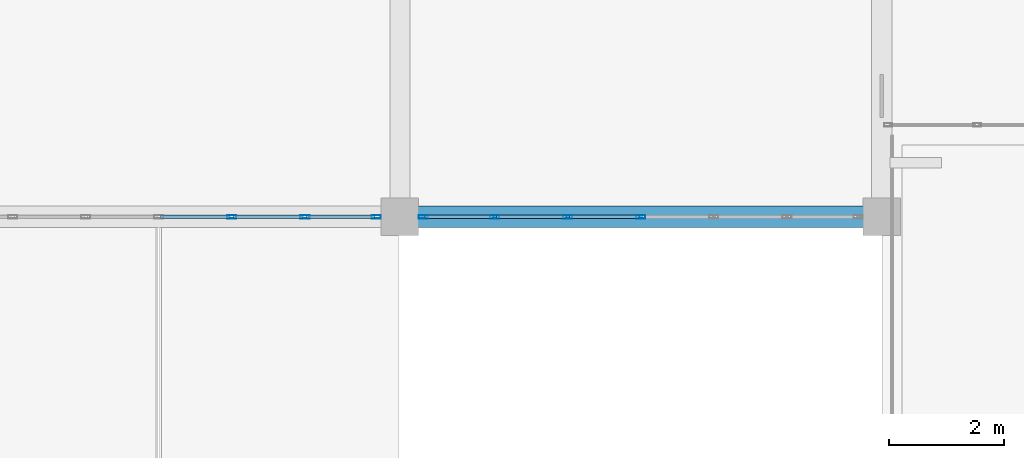
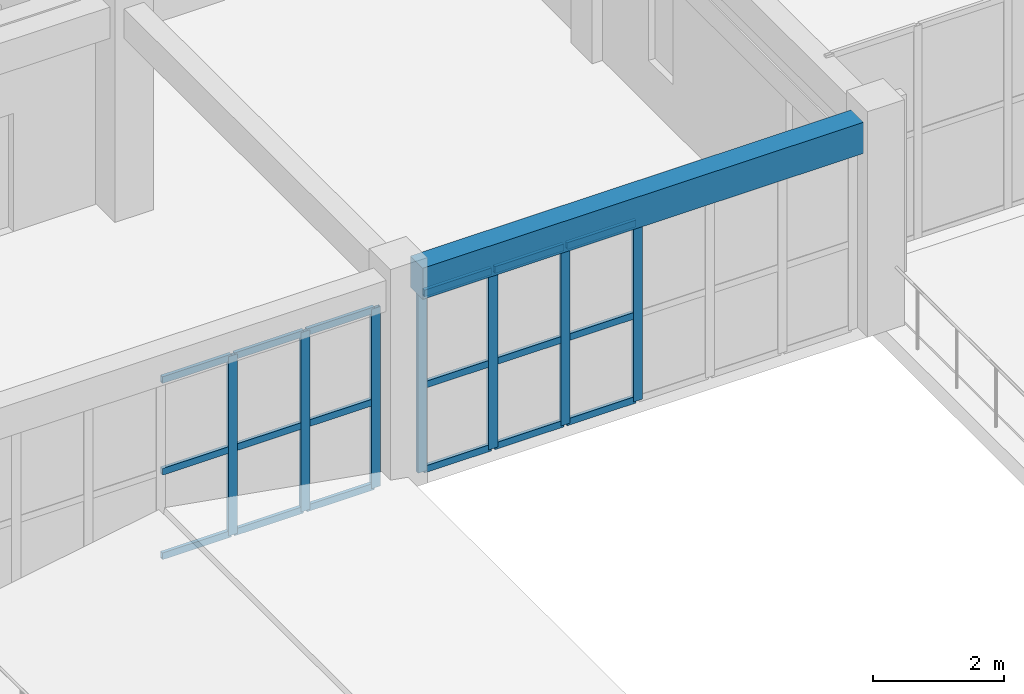
# One storey, part 25 of 90: 25 members, 1 beam, 2 elements without a shape of their own.
"""IFC4 building model written with IfcOpenShell, lengths in metres."""

from ifc_helpers import new_model, si_unit, direction, frame, origin, origin_2d, place, context, subcontext, project, spatial, rectangle, hollow_rectangle, extrude, material, layer, layer_set, material_profile, profile_set, type_object, element, aggregate, save


model = new_model("IFC4")

# Units and contexts
model_context = context("Model", 3, precision=1e-05, world=origin(), true_north=direction((0.0, 1.0)))
body_context = subcontext(model_context, "Body", "Model", "MODEL_VIEW")
ifc_project = project(units=[si_unit("LENGTHUNIT", "METRE"), si_unit("AREAUNIT", "SQUARE_METRE"), si_unit("VOLUMEUNIT", "CUBIC_METRE"), si_unit("PLANEANGLEUNIT", "RADIAN"), si_unit("MASSUNIT", "GRAM", prefix="KILO")], contexts=[model_context])

# Site, building, storey
site_placement = place(None, origin())
site = spatial("IfcSite", under=ifc_project, at=site_placement, CompositionType="ELEMENT")
building_placement = place(site_placement, origin())
building = spatial("IfcBuilding", under=site, at=building_placement, Name="Trelvath General Hospital", CompositionType="ELEMENT")
storey_placement = place(building_placement, frame((0.0, 0.0, 20.39990234375)))
storey = spatial("IfcBuildingStorey", under=building, at=storey_placement, Name="L05", CompositionType="ELEMENT", Elevation=20.39990234375)

# Beam
ifc_material_1 = material(Name="Concrete C35/45", Category="concrete")
ifc_material_profile_1 = material_profile(ifc_material_1, rectangle(XDim=0.3798828125, YDim=0.580078125, at=origin_2d()), Name="RCB380x580")
ifc_profile_set_1 = profile_set([ifc_material_profile_1], Name="Concrete C35/45")
beam_type = type_object("IfcBeamType", Name="Beam RC380x580", PredefinedType="BEAM", material=ifc_profile_set_1)
beam_placement = place(storey_placement, frame((84.320068359375, 42.0, 3.630126953125), z_axis=(1.0, 0.0, 0.0), x_axis=(0.0, 1.0, 0.0)))
element("IfcBeam", 1, at=beam_placement, inside=storey, type_object=beam_type, Name="Grid Beam BX-510F", PredefinedType="BEAM", context=body_context, shape_type="SweptSolid", body=[
    extrude(rectangle(XDim=0.3798828125, YDim=0.580078125, at=origin_2d()), origin(), (0.0, 0.0, 1.0), 7.760009765625),
])

# Curtain wall, members
ifc_material_2 = material(Name="Anodised aluminium and low-E glass", Category="aluminium")
ifc_layer = layer(ifc_material_2, 0.14990234375)
ifc_layer_set = layer_set([ifc_layer], Name="Anodised aluminium and low-E glass")
curtain_wall_type = type_object("IfcCurtainWallType", Name="CW Facade 764 334 15", PredefinedType="USERDEFINED", material=ifc_layer_set)
curtain_wall_1_placement = place(storey_placement, origin())
curtain_wall_1 = element("IfcCurtainWall", 2, at=curtain_wall_1_placement, inside=storey, type_object=curtain_wall_type, Name="Facade Curtain Wall CW-070", ObjectType="Unitised Glazed Curtain Wall", PredefinedType="USERDEFINED")
ifc_material_3 = material(Name="Anodised aluminium", Category="aluminium")
ifc_material_profile_2 = material_profile(ifc_material_3, hollow_rectangle(XDim=0.06005859375, YDim=0.159912109375, WallThickness=0.00390625, at=origin_2d()), Name="RHS60x160x4")
ifc_profile_set_2 = profile_set([ifc_material_profile_2], Name="Anodised aluminium")
member_type_1 = type_object("IfcMemberType", Name="CurtainMullion 60x160", PredefinedType="MULLION", material=ifc_profile_set_2)
member_1_placement = place(storey_placement, frame((83.590087890625, 42.0, 0.0), z_axis=(0.0, 0.0, 1.0), x_axis=(0.0, -1.0, 0.0)))
member_1 = element("IfcMember", 3, at=member_1_placement, type_object=member_type_1, Name="CW-070 mullion 1", PredefinedType="MULLION", context=body_context, shape_type="SweptSolid", body=[
    extrude(hollow_rectangle(XDim=0.06005859375, YDim=0.159912109375, WallThickness=0.00390625, at=origin_2d()), origin(), (0.0, 0.0, 1.0), 3.340087890625),
])
member_2_placement = place(storey_placement, frame((82.3466796875, 42.0, 0.0), z_axis=(0.0, 0.0, 1.0), x_axis=(0.0, -1.0, 0.0)))
member_2 = element("IfcMember", 4, at=member_2_placement, type_object=member_type_1, Name="CW-070 mullion 2", PredefinedType="MULLION", context=body_context, shape_type="SweptSolid", body=[
    extrude(hollow_rectangle(XDim=0.06005859375, YDim=0.159912109375, WallThickness=0.00390625, at=origin_2d()), origin(), (0.0, 0.0, 1.0), 3.340087890625),
])
member_3_placement = place(storey_placement, frame((81.0732421875, 42.0, 0.0), z_axis=(0.0, 0.0, 1.0), x_axis=(0.0, -1.0, 0.0)))
member_3 = element("IfcMember", 5, at=member_3_placement, type_object=member_type_1, Name="CW-070 mullion 3", PredefinedType="MULLION", context=body_context, shape_type="SweptSolid", body=[
    extrude(hollow_rectangle(XDim=0.06005859375, YDim=0.159912109375, WallThickness=0.00390625, at=origin_2d()), origin(), (0.0, 0.0, 1.0), 3.340087890625),
])

curtain_wall_2_placement = place(storey_placement, origin())
curtain_wall_2 = element("IfcCurtainWall", 6, at=curtain_wall_2_placement, inside=storey, type_object=curtain_wall_type, Name="Facade Curtain Wall CW-072", ObjectType="Unitised Glazed Curtain Wall", PredefinedType="USERDEFINED")
member_4_placement = place(storey_placement, frame((88.199951171875, 42.0, 0.0), z_axis=(0.0, 0.0, 1.0), x_axis=(0.0, -1.0, 0.0)))
member_4 = element("IfcMember", 7, at=member_4_placement, type_object=member_type_1, Name="CW-072 mullion 4", PredefinedType="MULLION", context=body_context, shape_type="SweptSolid", body=[
    extrude(hollow_rectangle(XDim=0.06005859375, YDim=0.159912109375, WallThickness=0.00390625, at=origin_2d()), origin(), (0.0, 0.0, 1.0), 3.340087890625),
])
member_5_placement = place(storey_placement, frame((86.9267578125, 42.0, 0.0), z_axis=(0.0, 0.0, 1.0), x_axis=(0.0, -1.0, 0.0)))
member_5 = element("IfcMember", 8, at=member_5_placement, type_object=member_type_1, Name="CW-072 mullion 5", PredefinedType="MULLION", context=body_context, shape_type="SweptSolid", body=[
    extrude(hollow_rectangle(XDim=0.06005859375, YDim=0.159912109375, WallThickness=0.00390625, at=origin_2d()), origin(), (0.0, 0.0, 1.0), 3.340087890625),
])
member_6_placement = place(storey_placement, frame((85.6533203125, 42.0, 0.0), z_axis=(0.0, 0.0, 1.0), x_axis=(0.0, -1.0, 0.0)))
member_6 = element("IfcMember", 9, at=member_6_placement, type_object=member_type_1, Name="CW-072 mullion 6", PredefinedType="MULLION", context=body_context, shape_type="SweptSolid", body=[
    extrude(hollow_rectangle(XDim=0.06005859375, YDim=0.159912109375, WallThickness=0.00390625, at=origin_2d()), origin(), (0.0, 0.0, 1.0), 3.340087890625),
])
member_7_placement = place(storey_placement, frame((84.409912109375, 42.0, 0.0), z_axis=(0.0, 0.0, 1.0), x_axis=(0.0, -1.0, 0.0)))
member_7 = element("IfcMember", 10, at=member_7_placement, type_object=member_type_1, Name="CW-072 mullion 7", PredefinedType="MULLION", context=body_context, shape_type="SweptSolid", body=[
    extrude(hollow_rectangle(XDim=0.06005859375, YDim=0.159912109375, WallThickness=0.00390625, at=origin_2d()), origin(), (0.0, 0.0, 1.0), 3.340087890625),
])

# Member
ifc_material_4 = material(Name="Anodised aluminium", Category="aluminium")
ifc_material_profile_3 = material_profile(ifc_material_4, hollow_rectangle(XDim=0.06005859375, YDim=0.125, WallThickness=0.00390625, at=origin_2d()), Name="RHS60x125x4")
ifc_profile_set_3 = profile_set([ifc_material_profile_3], Name="Anodised aluminium")
member_type_2 = type_object("IfcMemberType", Name="CurtainTransom 60x125", PredefinedType="USERDEFINED", material=ifc_profile_set_3)
member_8_placement = place(storey_placement, frame((83.56005859375, 42.0, 0.030029296875), z_axis=(-1.0, 0.0, 0.0), x_axis=(0.0, -1.0, 0.0)))
member_8 = element("IfcMember", 11, at=member_8_placement, type_object=member_type_2, Name="CW-070 transom 1.1", ObjectType="TRANSOM", PredefinedType="USERDEFINED", context=body_context, shape_type="SweptSolid", body=[
    extrude(hollow_rectangle(XDim=0.06005859375, YDim=0.125, WallThickness=0.00390625, at=origin_2d()), origin(), (0.0, 0.0, 1.0), 1.183349609375),
])

member_9_placement = place(storey_placement, frame((83.56005859375, 42.0, 1.60302734375), z_axis=(-1.0, 0.0, 0.0), x_axis=(0.0, -1.0, 0.0)))
member_9 = element("IfcMember", 12, at=member_9_placement, type_object=member_type_2, Name="CW-070 transom 1.2", ObjectType="TRANSOM", PredefinedType="USERDEFINED", context=body_context, shape_type="SweptSolid", body=[
    extrude(hollow_rectangle(XDim=0.06005859375, YDim=0.125, WallThickness=0.00390625, at=origin_2d()), origin(), (0.0, 0.0, 1.0), 1.183349609375),
])

member_10_placement = place(storey_placement, frame((83.56005859375, 42.0, 3.31005859375), z_axis=(-1.0, 0.0, 0.0), x_axis=(0.0, -1.0, 0.0)))
member_10 = element("IfcMember", 13, at=member_10_placement, type_object=member_type_2, Name="CW-070 transom 1.3", ObjectType="TRANSOM", PredefinedType="USERDEFINED", context=body_context, shape_type="SweptSolid", body=[
    extrude(hollow_rectangle(XDim=0.06005859375, YDim=0.125, WallThickness=0.00390625, at=origin_2d()), origin(), (0.0, 0.0, 1.0), 1.183349609375),
])

member_11_placement = place(storey_placement, frame((82.316650390625, 42.0, 0.030029296875), z_axis=(-1.0, 0.0, 0.0), x_axis=(0.0, -1.0, 0.0)))
member_11 = element("IfcMember", 14, at=member_11_placement, type_object=member_type_2, Name="CW-070 transom 2.1", ObjectType="TRANSOM", PredefinedType="USERDEFINED", context=body_context, shape_type="SweptSolid", body=[
    extrude(hollow_rectangle(XDim=0.06005859375, YDim=0.125, WallThickness=0.00390625, at=origin_2d()), origin(), (0.0, 0.0, 1.0), 1.21337890625),
])

member_12_placement = place(storey_placement, frame((82.316650390625, 42.0, 1.60302734375), z_axis=(-1.0, 0.0, 0.0), x_axis=(0.0, -1.0, 0.0)))
member_12 = element("IfcMember", 15, at=member_12_placement, type_object=member_type_2, Name="CW-070 transom 2.2", ObjectType="TRANSOM", PredefinedType="USERDEFINED", context=body_context, shape_type="SweptSolid", body=[
    extrude(hollow_rectangle(XDim=0.06005859375, YDim=0.125, WallThickness=0.00390625, at=origin_2d()), origin(), (0.0, 0.0, 1.0), 1.21337890625),
])

member_13_placement = place(storey_placement, frame((82.316650390625, 42.0, 3.31005859375), z_axis=(-1.0, 0.0, 0.0), x_axis=(0.0, -1.0, 0.0)))
member_13 = element("IfcMember", 16, at=member_13_placement, type_object=member_type_2, Name="CW-070 transom 2.3", ObjectType="TRANSOM", PredefinedType="USERDEFINED", context=body_context, shape_type="SweptSolid", body=[
    extrude(hollow_rectangle(XDim=0.06005859375, YDim=0.125, WallThickness=0.00390625, at=origin_2d()), origin(), (0.0, 0.0, 1.0), 1.21337890625),
])

member_14_placement = place(storey_placement, frame((81.043212890625, 42.0, 0.030029296875), z_axis=(-1.0, 0.0, 0.0), x_axis=(0.0, -1.0, 0.0)))
member_14 = element("IfcMember", 17, at=member_14_placement, type_object=member_type_2, Name="CW-070 transom 3.1", ObjectType="TRANSOM", PredefinedType="USERDEFINED", context=body_context, shape_type="SweptSolid", body=[
    extrude(hollow_rectangle(XDim=0.06005859375, YDim=0.125, WallThickness=0.00390625, at=origin_2d()), origin(), (0.0, 0.0, 1.0), 1.213134765625),
])

member_15_placement = place(storey_placement, frame((81.043212890625, 42.0, 1.60302734375), z_axis=(-1.0, 0.0, 0.0), x_axis=(0.0, -1.0, 0.0)))
member_15 = element("IfcMember", 18, at=member_15_placement, type_object=member_type_2, Name="CW-070 transom 3.2", ObjectType="TRANSOM", PredefinedType="USERDEFINED", context=body_context, shape_type="SweptSolid", body=[
    extrude(hollow_rectangle(XDim=0.06005859375, YDim=0.125, WallThickness=0.00390625, at=origin_2d()), origin(), (0.0, 0.0, 1.0), 1.213134765625),
])

member_16_placement = place(storey_placement, frame((81.043212890625, 42.0, 3.31005859375), z_axis=(-1.0, 0.0, 0.0), x_axis=(0.0, -1.0, 0.0)))
member_16 = element("IfcMember", 19, at=member_16_placement, type_object=member_type_2, Name="CW-070 transom 3.3", ObjectType="TRANSOM", PredefinedType="USERDEFINED", context=body_context, shape_type="SweptSolid", body=[
    extrude(hollow_rectangle(XDim=0.06005859375, YDim=0.125, WallThickness=0.00390625, at=origin_2d()), origin(), (0.0, 0.0, 1.0), 1.213134765625),
])

aggregate(curtain_wall_1, [member_1, member_2, member_3, member_8, member_9, member_10, member_11, member_12, member_13, member_14, member_15, member_16])

member_17_placement = place(storey_placement, frame((88.169921875, 42.0, 0.030029296875), z_axis=(-1.0, 0.0, 0.0), x_axis=(0.0, -1.0, 0.0)))
member_17 = element("IfcMember", 20, at=member_17_placement, type_object=member_type_2, Name="CW-072 transom 4.1", ObjectType="TRANSOM", PredefinedType="USERDEFINED", context=body_context, shape_type="SweptSolid", body=[
    extrude(hollow_rectangle(XDim=0.06005859375, YDim=0.125, WallThickness=0.00390625, at=origin_2d()), origin(), (0.0, 0.0, 1.0), 1.213134765625),
])

member_18_placement = place(storey_placement, frame((88.169921875, 42.0, 1.60302734375), z_axis=(-1.0, 0.0, 0.0), x_axis=(0.0, -1.0, 0.0)))
member_18 = element("IfcMember", 21, at=member_18_placement, type_object=member_type_2, Name="CW-072 transom 4.2", ObjectType="TRANSOM", PredefinedType="USERDEFINED", context=body_context, shape_type="SweptSolid", body=[
    extrude(hollow_rectangle(XDim=0.06005859375, YDim=0.125, WallThickness=0.00390625, at=origin_2d()), origin(), (0.0, 0.0, 1.0), 1.213134765625),
])

member_19_placement = place(storey_placement, frame((88.169921875, 42.0, 3.31005859375), z_axis=(-1.0, 0.0, 0.0), x_axis=(0.0, -1.0, 0.0)))
member_19 = element("IfcMember", 22, at=member_19_placement, type_object=member_type_2, Name="CW-072 transom 4.3", ObjectType="TRANSOM", PredefinedType="USERDEFINED", context=body_context, shape_type="SweptSolid", body=[
    extrude(hollow_rectangle(XDim=0.06005859375, YDim=0.125, WallThickness=0.00390625, at=origin_2d()), origin(), (0.0, 0.0, 1.0), 1.213134765625),
])

member_20_placement = place(storey_placement, frame((86.896728515625, 42.0, 0.030029296875), z_axis=(-1.0, 0.0, 0.0), x_axis=(0.0, -1.0, 0.0)))
member_20 = element("IfcMember", 23, at=member_20_placement, type_object=member_type_2, Name="CW-072 transom 5.1", ObjectType="TRANSOM", PredefinedType="USERDEFINED", context=body_context, shape_type="SweptSolid", body=[
    extrude(hollow_rectangle(XDim=0.06005859375, YDim=0.125, WallThickness=0.00390625, at=origin_2d()), origin(), (0.0, 0.0, 1.0), 1.21337890625),
])

member_21_placement = place(storey_placement, frame((86.896728515625, 42.0, 1.60302734375), z_axis=(-1.0, 0.0, 0.0), x_axis=(0.0, -1.0, 0.0)))
member_21 = element("IfcMember", 24, at=member_21_placement, type_object=member_type_2, Name="CW-072 transom 5.2", ObjectType="TRANSOM", PredefinedType="USERDEFINED", context=body_context, shape_type="SweptSolid", body=[
    extrude(hollow_rectangle(XDim=0.06005859375, YDim=0.125, WallThickness=0.00390625, at=origin_2d()), origin(), (0.0, 0.0, 1.0), 1.21337890625),
])

member_22_placement = place(storey_placement, frame((86.896728515625, 42.0, 3.31005859375), z_axis=(-1.0, 0.0, 0.0), x_axis=(0.0, -1.0, 0.0)))
member_22 = element("IfcMember", 25, at=member_22_placement, type_object=member_type_2, Name="CW-072 transom 5.3", ObjectType="TRANSOM", PredefinedType="USERDEFINED", context=body_context, shape_type="SweptSolid", body=[
    extrude(hollow_rectangle(XDim=0.06005859375, YDim=0.125, WallThickness=0.00390625, at=origin_2d()), origin(), (0.0, 0.0, 1.0), 1.21337890625),
])

member_23_placement = place(storey_placement, frame((85.623291015625, 42.0, 0.030029296875), z_axis=(-1.0, 0.0, 0.0), x_axis=(0.0, -1.0, 0.0)))
member_23 = element("IfcMember", 26, at=member_23_placement, type_object=member_type_2, Name="CW-072 transom 6.1", ObjectType="TRANSOM", PredefinedType="USERDEFINED", context=body_context, shape_type="SweptSolid", body=[
    extrude(hollow_rectangle(XDim=0.06005859375, YDim=0.125, WallThickness=0.00390625, at=origin_2d()), origin(), (0.0, 0.0, 1.0), 1.183349609375),
])

member_24_placement = place(storey_placement, frame((85.623291015625, 42.0, 1.60302734375), z_axis=(-1.0, 0.0, 0.0), x_axis=(0.0, -1.0, 0.0)))
member_24 = element("IfcMember", 27, at=member_24_placement, type_object=member_type_2, Name="CW-072 transom 6.2", ObjectType="TRANSOM", PredefinedType="USERDEFINED", context=body_context, shape_type="SweptSolid", body=[
    extrude(hollow_rectangle(XDim=0.06005859375, YDim=0.125, WallThickness=0.00390625, at=origin_2d()), origin(), (0.0, 0.0, 1.0), 1.183349609375),
])

member_25_placement = place(storey_placement, frame((85.623291015625, 42.0, 3.31005859375), z_axis=(-1.0, 0.0, 0.0), x_axis=(0.0, -1.0, 0.0)))
member_25 = element("IfcMember", 28, at=member_25_placement, type_object=member_type_2, Name="CW-072 transom 6.3", ObjectType="TRANSOM", PredefinedType="USERDEFINED", context=body_context, shape_type="SweptSolid", body=[
    extrude(hollow_rectangle(XDim=0.06005859375, YDim=0.125, WallThickness=0.00390625, at=origin_2d()), origin(), (0.0, 0.0, 1.0), 1.183349609375),
])

aggregate(curtain_wall_2, [member_4, member_5, member_6, member_7, member_17, member_18, member_19, member_20, member_21, member_22, member_23, member_24, member_25])

save(model, "model.ifc")
